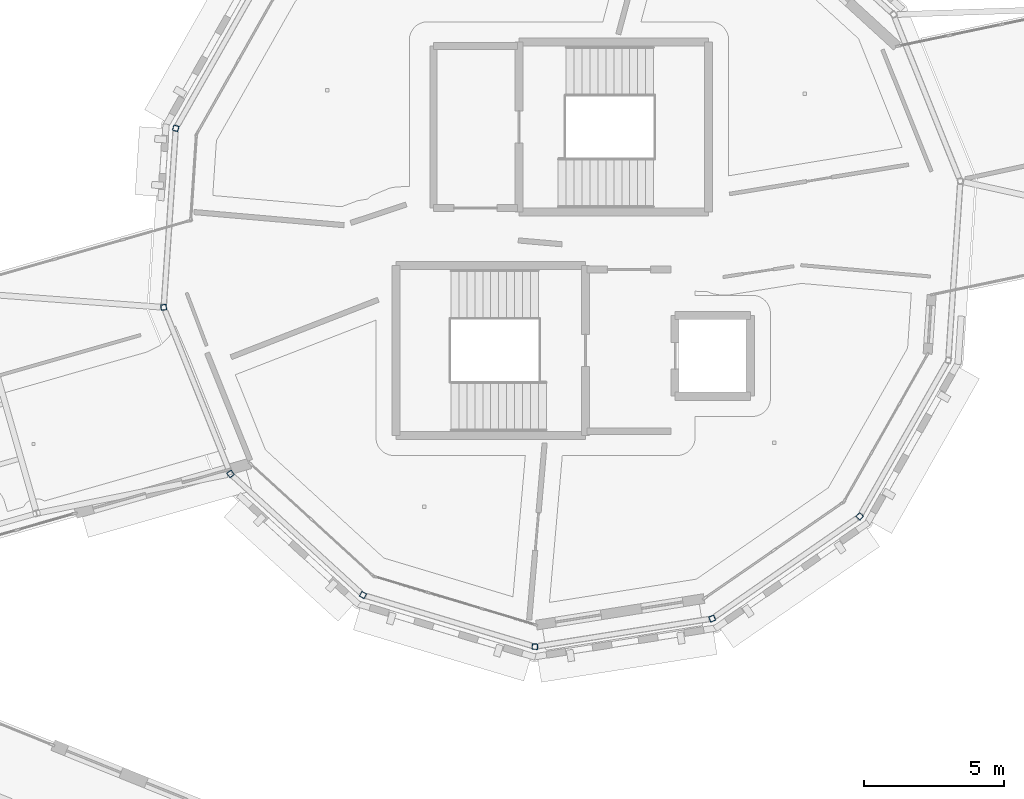
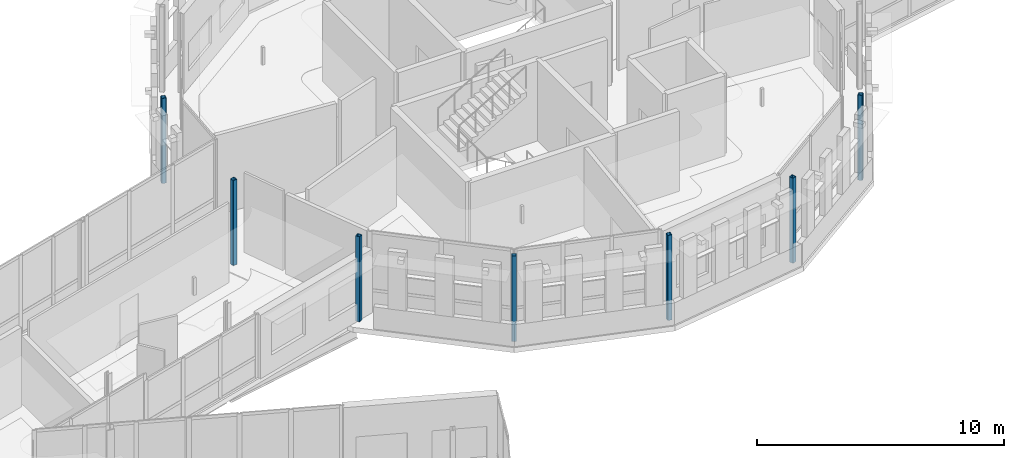
# One storey, part 15 of 125: 7 columns.
"""IFC4 building model written with IfcOpenShell, lengths in metres."""

import ifcopenshell
import ifcopenshell.guid

model = None  # the IFC model being written
_history = None  # IfcOwnerHistory: only IFC2X3 demands one
_inside = {}  # id of a spatial element -> (the spatial element, [elements in it])
_under = {}  # id of a project, library or spatial element -> (it, [spatial elements below it])
_declared = {}  # id of a project -> (the project, [libraries it declares])
_typed = {}  # id of a type object -> (the type object, [elements of that type])
_made_of = {}  # id of a material, layer set ... -> (it, [elements and type objects made of it])


def new_model(schema):
    """Start an empty IFC model of exactly this schema.

    Asked for "IFC4X3", IfcOpenShell would pick the latest addendum, in which some entities
    have other attributes; the version numbers below select the first issue.
    IFC2X3 requires an IfcOwnerHistory on every rooted entity: one is made here for all.
    """
    global model, _history
    if schema == "IFC4X3":
        model = ifcopenshell.file(schema_version=(4, 3, 0, 0))
    else:
        model = ifcopenshell.file(schema=schema)
    _inside.clear()
    _under.clear()
    _declared.clear()
    _typed.clear()
    _made_of.clear()
    _history = None
    if model.schema == "IFC2X3":
        org = make("IfcOrganization", Name="unknown")
        user = make(
            "IfcPersonAndOrganization",
            ThePerson=make("IfcPerson", FamilyName="unknown"),
            TheOrganization=org,
        )
        app = make(
            "IfcApplication",
            ApplicationDeveloper=org,
            Version="unknown",
            ApplicationFullName="unknown",
            ApplicationIdentifier="unknown",
        )
        _history = make(
            "IfcOwnerHistory",
            OwningUser=user,
            OwningApplication=app,
            ChangeAction="ADDED",
            CreationDate=0,
        )
    return model


def make(cls, **values):
    """One entity of the class cls with the attributes given. An attribute that is None is left unset."""
    return model.create_entity(
        cls, **{name: value for name, value in values.items() if value is not None}
    )


def rooted(cls, **values):
    """An entity with a GlobalId (a new one), such as an element, a storey or a relation."""
    return make(cls, GlobalId=ifcopenshell.guid.new(), OwnerHistory=_history, **values)


def si_unit(unit_type, name, prefix=None):
    """IfcSIUnit, for example si_unit("LENGTHUNIT", "METRE", prefix="MILLI")."""
    return make("IfcSIUnit", UnitType=unit_type, Prefix=prefix, Name=name)


def assignment(units):
    """IfcUnitAssignment: the units of a project."""
    return None if units is None else make("IfcUnitAssignment", Units=units)


def point(xyz):
    """IfcCartesianPoint."""
    return None if xyz is None else make("IfcCartesianPoint", Coordinates=xyz)


def direction(xyz):
    """IfcDirection."""
    return None if xyz is None else make("IfcDirection", DirectionRatios=xyz)


def frame(location, z_axis=None, x_axis=None):
    """IfcAxis2Placement3D, a coordinate frame: its origin and axes. An axis left out is left unset."""
    return make(
        "IfcAxis2Placement3D",
        Location=point(location),
        Axis=direction(z_axis),
        RefDirection=direction(x_axis),
    )


def frame_2d(location, x_axis=None):
    """IfcAxis2Placement2D, a coordinate frame in the plane: its origin and x axis."""
    return make(
        "IfcAxis2Placement2D", Location=point(location), RefDirection=direction(x_axis)
    )


def origin():
    """The frame at (0, 0, 0) with its axes left unset."""
    return frame((0.0, 0.0, 0.0))


def origin_2d():
    """The frame at (0, 0) in the plane with its x axis left unset."""
    return frame_2d((0.0, 0.0))


def place(relative_to, where):
    """IfcLocalPlacement: puts the frame where relative to a parent placement (None: the world)."""
    return make(
        "IfcLocalPlacement", PlacementRelTo=relative_to, RelativePlacement=where
    )


def context(
    kind, dimensions, precision=None, world=None, true_north=None, identifier=None
):
    """IfcGeometricRepresentationContext, for example the 3D "Model" context."""
    return make(
        "IfcGeometricRepresentationContext",
        ContextIdentifier=identifier,
        ContextType=kind,
        CoordinateSpaceDimension=dimensions,
        Precision=precision,
        WorldCoordinateSystem=world,
        TrueNorth=true_north,
    )


def subcontext(parent, identifier, kind, view, scale=None):
    """IfcGeometricRepresentationSubContext, for example "Body" below "Model"."""
    return make(
        "IfcGeometricRepresentationSubContext",
        ContextIdentifier=identifier,
        ContextType=kind,
        ParentContext=parent,
        TargetScale=scale,
        TargetView=view,
    )


def project(units=None, contexts=None):
    """IfcProject with its units and contexts."""
    return rooted(
        "IfcProject",
        Name="project",
        RepresentationContexts=contexts,
        UnitsInContext=assignment(units),
    )


def spatial(cls, under=None, at=None, **own):
    """A site, building, storey or space (cls), placed at a placement, below another one or the project."""
    s = rooted(cls, ObjectPlacement=at, **own)
    if under is not None:
        _under.setdefault(under.id(), (under, []))[1].append(s)
    return s


def profile(cls, at=None, kind="AREA", **sizes):
    """A parametric profile (cls). Its sizes go by their IFC names, for example OverallWidth=200.0."""
    return make(cls, ProfileType=kind, Position=at, **sizes)


def hollow_rectangle(**sizes):
    """IfcRectangleHollowProfileDef."""
    return profile("IfcRectangleHollowProfileDef", **sizes)


def extrude(swept, where, along, depth):
    """IfcExtrudedAreaSolid: the profile swept, set in the frame where, extruded along a direction by depth."""
    return make(
        "IfcExtrudedAreaSolid",
        SweptArea=swept,
        Position=where,
        ExtrudedDirection=direction(along),
        Depth=depth,
    )


def shape(context_of_items, identifier, shape_type, items):
    """IfcShapeRepresentation: the items that make up one representation, for example the "Body"."""
    return make(
        "IfcShapeRepresentation",
        ContextOfItems=context_of_items,
        RepresentationIdentifier=identifier,
        RepresentationType=shape_type,
        Items=items,
    )


def material(Name=None, Category=None):
    """IfcMaterial."""
    return make("IfcMaterial", Name=Name, Category=Category)


def material_profile(
    of_material, cross_section, Name=None, Category=None, Priority=None
):
    """IfcMaterialProfile: a cross section and its material."""
    return make(
        "IfcMaterialProfile",
        Name=Name,
        Material=of_material,
        Profile=cross_section,
        Priority=Priority,
        Category=Category,
    )


def profile_set(profiles, Name=None, composite=None):
    """IfcMaterialProfileSet."""
    return make(
        "IfcMaterialProfileSet",
        Name=Name,
        MaterialProfiles=profiles,
        CompositeProfile=composite,
    )


def made_of(thing, what):
    """Note that an element or type object is made of a material, layer set ...; save() writes the relation."""
    if what is not None:
        _made_of.setdefault(what.id(), (what, []))[1].append(thing)
    return thing


def type_object(cls, material=None, **own):
    """A type object (cls), such as IfcWallType, which elements share."""
    return made_of(rooted(cls, **own), material)


def element(
    cls,
    number,
    at=None,
    inside=None,
    cuts=None,
    type_object=None,
    material=None,
    context=None,
    identifier="Body",
    shape_type=None,
    held_by="IfcProductDefinitionShape",
    body=None,
    shapes=None,
    **own,
):
    """One element of the class cls, such as IfcWall. Its Tag is "e" and its number.

    at: its placement. inside: the storey or other place that contains it. cuts: it is an
    opening in that element (IfcRelVoidsElement). A single representation is given by context,
    identifier, shape_type and body (its items); several are given by shapes. held_by: the class
    of the entity that holds the representations. save() writes the other relations.
    """
    e = rooted(cls, Tag="e%d" % number, ObjectPlacement=at, **own)
    if body is not None:
        shapes = [shape(context, identifier, shape_type, body)]
    if shapes is not None:
        e.Representation = make(held_by, Representations=shapes)
    if inside is not None:
        _inside.setdefault(inside.id(), (inside, []))[1].append(e)
    if cuts is not None:
        rooted(
            "IfcRelVoidsElement", RelatingBuildingElement=cuts, RelatedOpeningElement=e
        )
    if type_object is not None:
        _typed.setdefault(type_object.id(), (type_object, []))[1].append(e)
    return made_of(e, material)


def aggregate(whole, parts):
    """IfcRelAggregates: a whole, such as a stair, and the parts it consists of."""
    return rooted("IfcRelAggregates", RelatingObject=whole, RelatedObjects=parts)


def save(model, path):
    """Write the relations noted so far, then the file.

    IfcRelAggregates (storeys below a building ...), IfcRelContainedInSpatialStructure (elements
    in a storey), IfcRelDefinesByType, IfcRelAssociatesMaterial and IfcRelDeclares: one each for
    every whole, place, type object, material and project.
    """
    for whole, parts in _under.values():
        aggregate(whole, parts)
    for where, things in _inside.values():
        rooted(
            "IfcRelContainedInSpatialStructure",
            RelatedElements=things,
            RelatingStructure=where,
        )
    for kind, things in _typed.values():
        rooted("IfcRelDefinesByType", RelatedObjects=things, RelatingType=kind)
    for what, things in _made_of.values():
        rooted("IfcRelAssociatesMaterial", RelatedObjects=things, RelatingMaterial=what)
    for by, libraries in _declared.values():
        rooted("IfcRelDeclares", RelatingContext=by, RelatedDefinitions=libraries)
    model.write(path)


model = new_model("IFC4")

# Units and contexts
model_context = context("Model", 3, precision=1e-05, world=origin(), true_north=direction((0.0, 1.0)))
body_context = subcontext(model_context, "Body", "Model", "MODEL_VIEW")
ifc_project = project(units=[si_unit("LENGTHUNIT", "METRE"), si_unit("AREAUNIT", "SQUARE_METRE"), si_unit("VOLUMEUNIT", "CUBIC_METRE"), si_unit("PLANEANGLEUNIT", "RADIAN"), si_unit("MASSUNIT", "GRAM", prefix="KILO")], contexts=[model_context])

# Site, building, storey
site_placement = place(None, origin())
site = spatial("IfcSite", under=ifc_project, at=site_placement, CompositionType="ELEMENT")
building_placement = place(site_placement, origin())
building = spatial("IfcBuilding", under=site, at=building_placement, Name="Wrenclough Park School", CompositionType="ELEMENT")
storey_placement = place(building_placement, frame((0.0, 0.0, 4.199951171875)))
storey = spatial("IfcBuildingStorey", under=building, at=storey_placement, Name="L01", CompositionType="ELEMENT", Elevation=4.199951171875)

# Columns
ifc_material = material(Name="Structural steel S355", Category="steel")
ifc_material_profile = material_profile(ifc_material, hollow_rectangle(XDim=0.199951171875, YDim=0.199951171875, WallThickness=0.012451171875, InnerFilletRadius=0.012451171875, OuterFilletRadius=0.018798828125, at=origin_2d()), Name="SHS 200x200x12.5")
ifc_profile_set = profile_set([ifc_material_profile], Name="Structural steel S355")
column_type = type_object("IfcColumnType", Name="STR-COL-SHS200", PredefinedType="COLUMN", material=ifc_profile_set)
for number, where, z_axis, x_axis, name in (
    (1, (69.160400390625, 112.65576171875, 0.0), (0.0, 0.0, 1.0), (-0.287527687034, -0.957772326385, 0.0), "D4 L01 column D4-OUT-07"),
    (2, (68.727783203125, 106.239501953125, 0.0), (0.0, 0.0, 1.0), (0.15643446504, -0.987688340595, 0.0), "D4 L01 column D4-OUT-08"),
    (3, (71.1220703125, 100.27099609375, 0.0), (0.0, 0.0, 1.0), (0.569423005964, -0.822044670489, 0.0), "D4 L01 column D4-OUT-09"),
    (4, (75.868896484375, 95.93212890625, 0.0), (0.0, 0.0, 1.0), (0.869753437661, -0.493486532416, 0.0), "D4 L01 column D4-OUT-10"),
    (5, (82.028076171875, 94.082763671875, 0.0), (0.0, 0.0, 1.0), (0.997731519333, -0.067318759124, 0.0), "D4 L01 column D4-OUT-11"),
    (6, (88.379638671875, 95.088623046875, 0.0), (0.0, 0.0, 1.0), (0.928096422365, 0.372339939832, 0.0), "D4 L01 column D4-OUT-12"),
    (7, (93.665771484375, 98.7509765625, 0.0), (0.0, 0.0, 1.0), (0.674688949446, 0.738102175512, 0.0), "D4 L01 column D4-OUT-13"),
):
    element("IfcColumn", number, at=place(storey_placement, frame(where, z_axis=z_axis, x_axis=x_axis)), inside=storey, type_object=column_type, Name=name, PredefinedType="COLUMN", context=body_context, shape_type="SweptSolid", body=[
        extrude(hollow_rectangle(XDim=0.199951171875, YDim=0.199951171875, WallThickness=0.012451171875, InnerFilletRadius=0.012451171875, OuterFilletRadius=0.018798828125, at=origin_2d()), origin(), (0.0, 0.0, 1.0), 4.199951171875),
    ])

save(model, "model.ifc")
